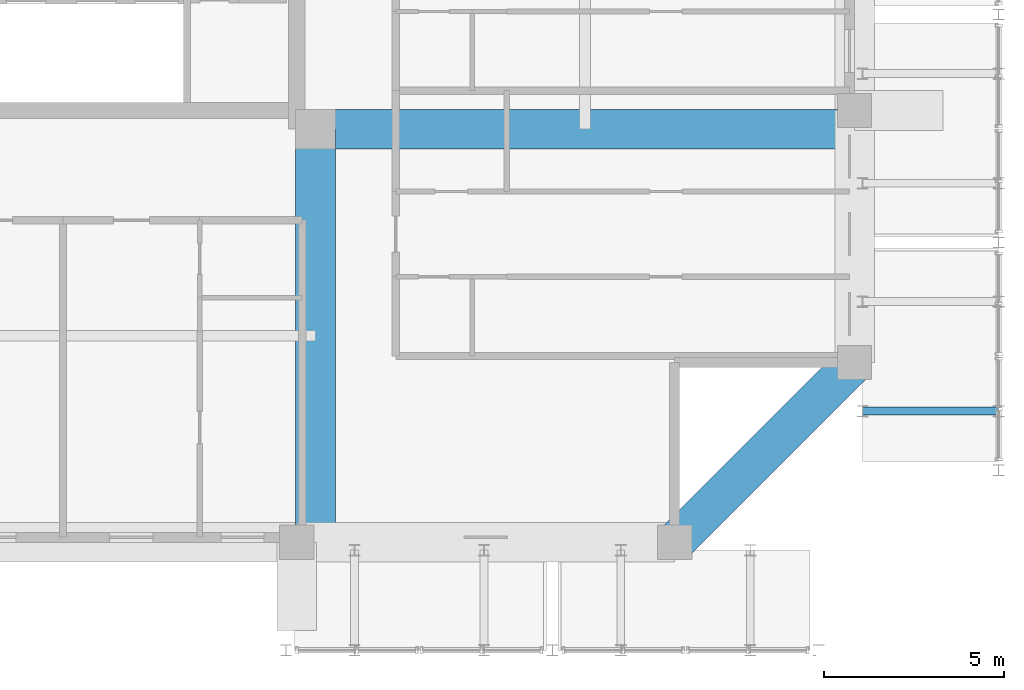
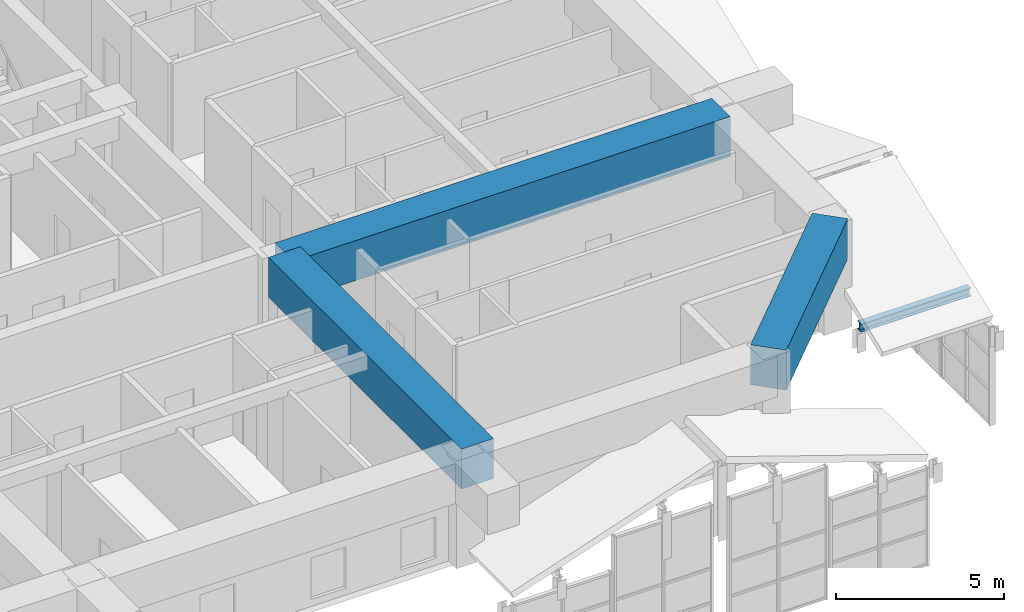
# One storey, part 13 of 45: 3 beams, 1 member.
"""IFC4 building model written with IfcOpenShell, lengths in metres."""

import ifcopenshell
import ifcopenshell.guid

model = None  # the IFC model being written
_history = None  # IfcOwnerHistory: only IFC2X3 demands one
_inside = {}  # id of a spatial element -> (the spatial element, [elements in it])
_under = {}  # id of a project, library or spatial element -> (it, [spatial elements below it])
_declared = {}  # id of a project -> (the project, [libraries it declares])
_typed = {}  # id of a type object -> (the type object, [elements of that type])
_made_of = {}  # id of a material, layer set ... -> (it, [elements and type objects made of it])


def new_model(schema):
    """Start an empty IFC model of exactly this schema.

    Asked for "IFC4X3", IfcOpenShell would pick the latest addendum, in which some entities
    have other attributes; the version numbers below select the first issue.
    IFC2X3 requires an IfcOwnerHistory on every rooted entity: one is made here for all.
    """
    global model, _history
    if schema == "IFC4X3":
        model = ifcopenshell.file(schema_version=(4, 3, 0, 0))
    else:
        model = ifcopenshell.file(schema=schema)
    _inside.clear()
    _under.clear()
    _declared.clear()
    _typed.clear()
    _made_of.clear()
    _history = None
    if model.schema == "IFC2X3":
        org = make("IfcOrganization", Name="unknown")
        user = make(
            "IfcPersonAndOrganization",
            ThePerson=make("IfcPerson", FamilyName="unknown"),
            TheOrganization=org,
        )
        app = make(
            "IfcApplication",
            ApplicationDeveloper=org,
            Version="unknown",
            ApplicationFullName="unknown",
            ApplicationIdentifier="unknown",
        )
        _history = make(
            "IfcOwnerHistory",
            OwningUser=user,
            OwningApplication=app,
            ChangeAction="ADDED",
            CreationDate=0,
        )
    return model


def make(cls, **values):
    """One entity of the class cls with the attributes given. An attribute that is None is left unset."""
    return model.create_entity(
        cls, **{name: value for name, value in values.items() if value is not None}
    )


def rooted(cls, **values):
    """An entity with a GlobalId (a new one), such as an element, a storey or a relation."""
    return make(cls, GlobalId=ifcopenshell.guid.new(), OwnerHistory=_history, **values)


def si_unit(unit_type, name, prefix=None):
    """IfcSIUnit, for example si_unit("LENGTHUNIT", "METRE", prefix="MILLI")."""
    return make("IfcSIUnit", UnitType=unit_type, Prefix=prefix, Name=name)


def assignment(units):
    """IfcUnitAssignment: the units of a project."""
    return None if units is None else make("IfcUnitAssignment", Units=units)


def point(xyz):
    """IfcCartesianPoint."""
    return None if xyz is None else make("IfcCartesianPoint", Coordinates=xyz)


def direction(xyz):
    """IfcDirection."""
    return None if xyz is None else make("IfcDirection", DirectionRatios=xyz)


def frame(location, z_axis=None, x_axis=None):
    """IfcAxis2Placement3D, a coordinate frame: its origin and axes. An axis left out is left unset."""
    return make(
        "IfcAxis2Placement3D",
        Location=point(location),
        Axis=direction(z_axis),
        RefDirection=direction(x_axis),
    )


def frame_2d(location, x_axis=None):
    """IfcAxis2Placement2D, a coordinate frame in the plane: its origin and x axis."""
    return make(
        "IfcAxis2Placement2D", Location=point(location), RefDirection=direction(x_axis)
    )


def origin():
    """The frame at (0, 0, 0) with its axes left unset."""
    return frame((0.0, 0.0, 0.0))


def origin_2d():
    """The frame at (0, 0) in the plane with its x axis left unset."""
    return frame_2d((0.0, 0.0))


def place(relative_to, where):
    """IfcLocalPlacement: puts the frame where relative to a parent placement (None: the world)."""
    return make(
        "IfcLocalPlacement", PlacementRelTo=relative_to, RelativePlacement=where
    )


def context(
    kind, dimensions, precision=None, world=None, true_north=None, identifier=None
):
    """IfcGeometricRepresentationContext, for example the 3D "Model" context."""
    return make(
        "IfcGeometricRepresentationContext",
        ContextIdentifier=identifier,
        ContextType=kind,
        CoordinateSpaceDimension=dimensions,
        Precision=precision,
        WorldCoordinateSystem=world,
        TrueNorth=true_north,
    )


def subcontext(parent, identifier, kind, view, scale=None):
    """IfcGeometricRepresentationSubContext, for example "Body" below "Model"."""
    return make(
        "IfcGeometricRepresentationSubContext",
        ContextIdentifier=identifier,
        ContextType=kind,
        ParentContext=parent,
        TargetScale=scale,
        TargetView=view,
    )


def project(units=None, contexts=None):
    """IfcProject with its units and contexts."""
    return rooted(
        "IfcProject",
        Name="project",
        RepresentationContexts=contexts,
        UnitsInContext=assignment(units),
    )


def spatial(cls, under=None, at=None, **own):
    """A site, building, storey or space (cls), placed at a placement, below another one or the project."""
    s = rooted(cls, ObjectPlacement=at, **own)
    if under is not None:
        _under.setdefault(under.id(), (under, []))[1].append(s)
    return s


def profile(cls, at=None, kind="AREA", **sizes):
    """A parametric profile (cls). Its sizes go by their IFC names, for example OverallWidth=200.0."""
    return make(cls, ProfileType=kind, Position=at, **sizes)


def rectangle(**sizes):
    """IfcRectangleProfileDef."""
    return profile("IfcRectangleProfileDef", **sizes)


def i_section(**sizes):
    """IfcIShapeProfileDef."""
    return profile("IfcIShapeProfileDef", **sizes)


def extrude(swept, where, along, depth):
    """IfcExtrudedAreaSolid: the profile swept, set in the frame where, extruded along a direction by depth."""
    return make(
        "IfcExtrudedAreaSolid",
        SweptArea=swept,
        Position=where,
        ExtrudedDirection=direction(along),
        Depth=depth,
    )


def shape(context_of_items, identifier, shape_type, items):
    """IfcShapeRepresentation: the items that make up one representation, for example the "Body"."""
    return make(
        "IfcShapeRepresentation",
        ContextOfItems=context_of_items,
        RepresentationIdentifier=identifier,
        RepresentationType=shape_type,
        Items=items,
    )


def source(mapping_origin, context_of_items, identifier, shape_type, items):
    """IfcRepresentationMap: a shape defined once, which mapped items show again and again."""
    return make(
        "IfcRepresentationMap",
        MappingOrigin=mapping_origin,
        MappedRepresentation=shape(context_of_items, identifier, shape_type, items),
    )


def transform(
    local_origin,
    x_axis=None,
    y_axis=None,
    z_axis=None,
    scale=None,
    scale2=None,
    scale3=None,
    uniform=True,
):
    """IfcCartesianTransformationOperator3D, or its non-uniform kind. x_axis, y_axis, z_axis: its Axis1, 2, 3."""
    if uniform:
        return make(
            "IfcCartesianTransformationOperator3D",
            Axis1=direction(x_axis),
            Axis2=direction(y_axis),
            LocalOrigin=point(local_origin),
            Scale=scale,
            Axis3=direction(z_axis),
        )
    return make(
        "IfcCartesianTransformationOperator3DnonUniform",
        Axis1=direction(x_axis),
        Axis2=direction(y_axis),
        LocalOrigin=point(local_origin),
        Scale=scale,
        Axis3=direction(z_axis),
        Scale2=scale2,
        Scale3=scale3,
    )


def mapped(mapping_source, mapping_target):
    """IfcMappedItem: shows the shape of a source again, moved by a transform."""
    return make(
        "IfcMappedItem", MappingSource=mapping_source, MappingTarget=mapping_target
    )


def material(Name=None, Category=None):
    """IfcMaterial."""
    return make("IfcMaterial", Name=Name, Category=Category)


def material_profile(
    of_material, cross_section, Name=None, Category=None, Priority=None
):
    """IfcMaterialProfile: a cross section and its material."""
    return make(
        "IfcMaterialProfile",
        Name=Name,
        Material=of_material,
        Profile=cross_section,
        Priority=Priority,
        Category=Category,
    )


def profile_set(profiles, Name=None, composite=None):
    """IfcMaterialProfileSet."""
    return make(
        "IfcMaterialProfileSet",
        Name=Name,
        MaterialProfiles=profiles,
        CompositeProfile=composite,
    )


def made_of(thing, what):
    """Note that an element or type object is made of a material, layer set ...; save() writes the relation."""
    if what is not None:
        _made_of.setdefault(what.id(), (what, []))[1].append(thing)
    return thing


def type_object(cls, material=None, **own):
    """A type object (cls), such as IfcWallType, which elements share."""
    return made_of(rooted(cls, **own), material)


def element(
    cls,
    number,
    at=None,
    inside=None,
    cuts=None,
    type_object=None,
    material=None,
    context=None,
    identifier="Body",
    shape_type=None,
    held_by="IfcProductDefinitionShape",
    body=None,
    shapes=None,
    **own,
):
    """One element of the class cls, such as IfcWall. Its Tag is "e" and its number.

    at: its placement. inside: the storey or other place that contains it. cuts: it is an
    opening in that element (IfcRelVoidsElement). A single representation is given by context,
    identifier, shape_type and body (its items); several are given by shapes. held_by: the class
    of the entity that holds the representations. save() writes the other relations.
    """
    e = rooted(cls, Tag="e%d" % number, ObjectPlacement=at, **own)
    if body is not None:
        shapes = [shape(context, identifier, shape_type, body)]
    if shapes is not None:
        e.Representation = make(held_by, Representations=shapes)
    if inside is not None:
        _inside.setdefault(inside.id(), (inside, []))[1].append(e)
    if cuts is not None:
        rooted(
            "IfcRelVoidsElement", RelatingBuildingElement=cuts, RelatedOpeningElement=e
        )
    if type_object is not None:
        _typed.setdefault(type_object.id(), (type_object, []))[1].append(e)
    return made_of(e, material)


def aggregate(whole, parts):
    """IfcRelAggregates: a whole, such as a stair, and the parts it consists of."""
    return rooted("IfcRelAggregates", RelatingObject=whole, RelatedObjects=parts)


def save(model, path):
    """Write the relations noted so far, then the file.

    IfcRelAggregates (storeys below a building ...), IfcRelContainedInSpatialStructure (elements
    in a storey), IfcRelDefinesByType, IfcRelAssociatesMaterial and IfcRelDeclares: one each for
    every whole, place, type object, material and project.
    """
    for whole, parts in _under.values():
        aggregate(whole, parts)
    for where, things in _inside.values():
        rooted(
            "IfcRelContainedInSpatialStructure",
            RelatedElements=things,
            RelatingStructure=where,
        )
    for kind, things in _typed.values():
        rooted("IfcRelDefinesByType", RelatedObjects=things, RelatingType=kind)
    for what, things in _made_of.values():
        rooted("IfcRelAssociatesMaterial", RelatedObjects=things, RelatingMaterial=what)
    for by, libraries in _declared.values():
        rooted("IfcRelDeclares", RelatingContext=by, RelatedDefinitions=libraries)
    model.write(path)


model = new_model("IFC4")

# Units and contexts
model_context = context("Model", 3, precision=1e-05, world=origin(), true_north=direction((0.0, 1.0)))
body_context = subcontext(model_context, "Body", "Model", "MODEL_VIEW")
ifc_project = project(units=[si_unit("LENGTHUNIT", "METRE"), si_unit("AREAUNIT", "SQUARE_METRE"), si_unit("VOLUMEUNIT", "CUBIC_METRE"), si_unit("PLANEANGLEUNIT", "RADIAN"), si_unit("MASSUNIT", "GRAM", prefix="KILO")], contexts=[model_context])

# Site, building, storey
site_placement = place(None, origin())
site = spatial("IfcSite", under=ifc_project, at=site_placement, CompositionType="ELEMENT")
building_placement = place(site_placement, origin())
building = spatial("IfcBuilding", under=site, at=building_placement, Name="Saelheon Loggia Tower", CompositionType="ELEMENT")
storey_placement = place(building_placement, frame((0.0, 0.0, 152.199951171875)))
storey = spatial("IfcBuildingStorey", under=building, at=storey_placement, Name="L48", CompositionType="ELEMENT", Elevation=152.199951171875)

# Member
ifc_material_1 = material(Name="Steel SM355", Category="steel")
ifc_material_profile_1 = material_profile(ifc_material_1, i_section(OverallWidth=0.219970703125, OverallDepth=0.300048828125, WebThickness=0.011962890625, FlangeThickness=0.02001953125, at=origin_2d()), Name="H-300x220x12x20")
ifc_profile_set_1 = profile_set([ifc_material_profile_1], Name="Steel SM355")
member_type = type_object("IfcMemberType", Name="Roof_ShoulderPurlin_RHS300", PredefinedType="PURLIN", material=ifc_profile_set_1)
shared_shape_1 = source(origin(), body_context, "Body", "SweptSolid", [
    extrude(i_section(OverallWidth=0.219970703125, OverallDepth=0.300048828125, WebThickness=0.011962890625, FlangeThickness=0.02001953125, at=origin_2d()), origin(), (0.0, 0.0, 1.0), 3.780029296875),
])
member_placement = place(storey_placement, frame((64.0, 9.644775390625, 0.6220703125), z_axis=(-1.0, 0.0, 0.0), x_axis=(0.0, -1.0, 0.0)))
element("IfcMember", 1, at=member_placement, inside=storey, type_object=member_type, Name="Tier 1 Wave Crest Rafter E 01 A", PredefinedType="PURLIN", context=body_context, shape_type="MappedRepresentation", body=[
    mapped(shared_shape_1, transform((0.0, 0.0, 0.0), scale=1.0)),
])

# Beams
ifc_material_2 = material(Name="Concrete C50/60", Category="concrete")
ifc_material_profile_2 = material_profile(ifc_material_2, rectangle(XDim=1.10009765625, YDim=1.449951171875, at=origin_2d()), Name="RC-1100x1450")
ifc_profile_set_2 = profile_set([ifc_material_profile_2], Name="Concrete C50/60")
beam_type_1 = type_object("IfcBeamType", Name="Beam_PerimTransfer_RC1100x1450", PredefinedType="BEAM", material=ifc_profile_set_2)
shared_shape_2 = source(origin(), body_context, "Body", "SweptSolid", [
    extrude(rectangle(XDim=1.10009765625, YDim=1.449951171875, at=origin_2d()), origin(), (0.0, 0.0, 1.0), 7.071044921875),
])
beam_1_placement = place(storey_placement, frame((55.0, 6.0, 3.175048828125), z_axis=(0.707106781187, 0.707106781187, 0.0), x_axis=(-0.707106781187, 0.707106781187, 0.0)))
element("IfcBeam", 2, at=beam_1_placement, inside=storey, type_object=beam_type_1, Name="L48 Perimeter Frame Girder 04", PredefinedType="BEAM", context=body_context, shape_type="MappedRepresentation", body=[
    mapped(shared_shape_2, transform((0.0, 0.0, 0.0), scale=1.0)),
])
ifc_material_profile_3 = material_profile(ifc_material_2, rectangle(XDim=1.10009765625, YDim=1.449951171875, at=origin_2d()), Name="RC-1100x1450")
ifc_profile_set_3 = profile_set([ifc_material_profile_3], Name="Concrete C50/60")
beam_type_2 = type_object("IfcBeamType", Name="Beam_Transfer_RC1100x1450", PredefinedType="BEAM", material=ifc_profile_set_3)
shared_shape_3 = source(origin(), body_context, "Body", "SweptSolid", [
    extrude(rectangle(XDim=1.10009765625, YDim=1.449951171875, at=origin_2d()), origin(), (0.0, 0.0, 1.0), 11.47998046875),
])
beam_2_placement = place(storey_placement, frame((45.02001953125, 17.47998046875, 3.175048828125), z_axis=(0.0, -1.0, 0.0), x_axis=(1.0, 0.0, 0.0)))
element("IfcBeam", 3, at=beam_2_placement, inside=storey, type_object=beam_type_2, Name="L48 Radial Floor Girder RAD-SE-S", PredefinedType="BEAM", context=body_context, shape_type="MappedRepresentation", body=[
    mapped(shared_shape_3, transform((0.0, 0.0, 0.0), scale=1.0)),
])
shared_shape_4 = source(origin(), body_context, "Body", "SweptSolid", [
    extrude(rectangle(XDim=1.10009765625, YDim=1.449951171875, at=origin_2d()), origin(), (0.0, 0.0, 1.0), 14.97998046875),
])
beam_3_placement = place(storey_placement, frame((45.02001953125, 17.47998046875, 3.175048828125), z_axis=(1.0, 0.0, 0.0), x_axis=(0.0, 1.0, 0.0)))
element("IfcBeam", 4, at=beam_3_placement, inside=storey, type_object=beam_type_2, Name="L48 Radial Floor Girder RAD-SE-E", PredefinedType="BEAM", context=body_context, shape_type="MappedRepresentation", body=[
    mapped(shared_shape_4, transform((0.0, 0.0, 0.0), scale=1.0)),
])

save(model, "model.ifc")
